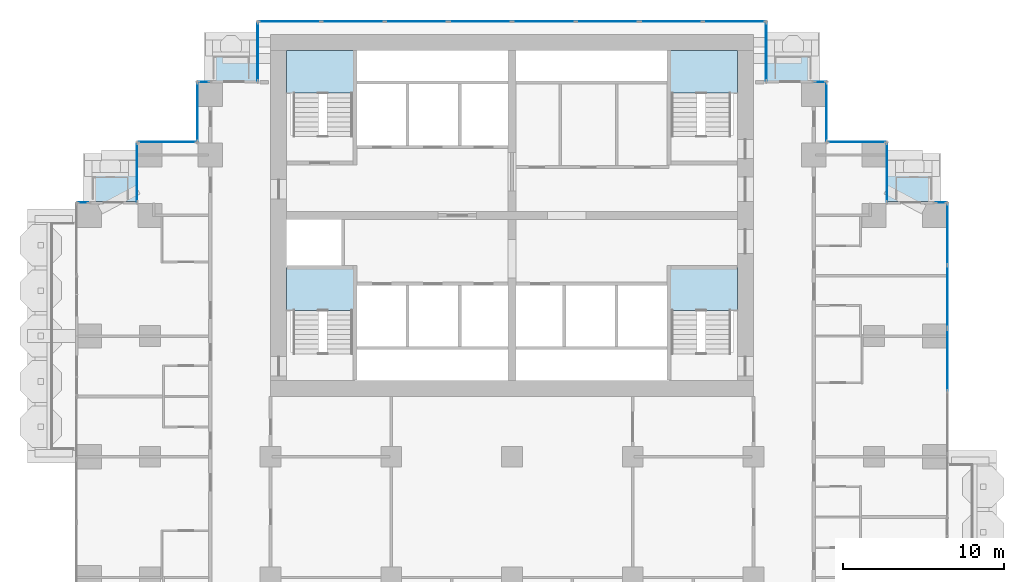
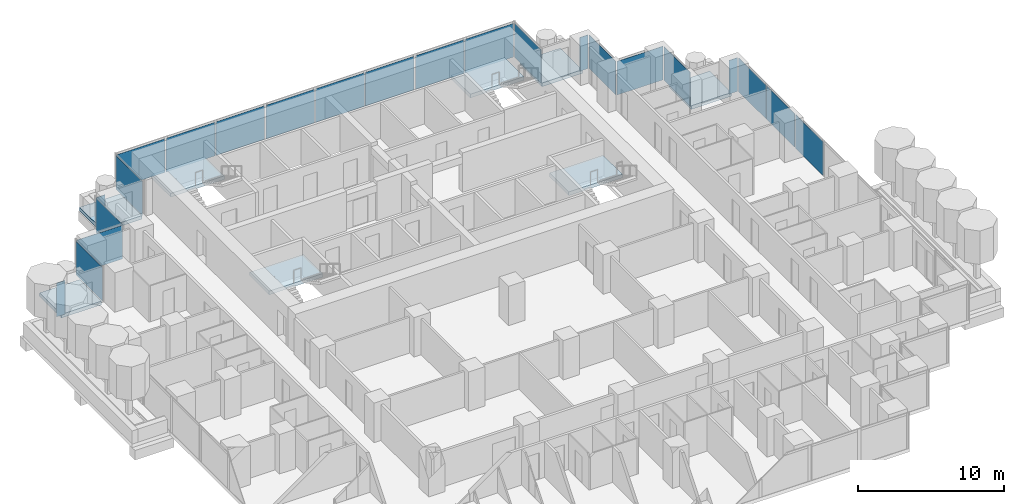
# One storey, part 9 of 19: 23 plates, 8 slabs, 21 elements without a shape of their own.
"""IFC4 building model written with IfcOpenShell, lengths in metres."""

from ifc_helpers import new_model, si_unit, direction, frame, origin, origin_2d, place, context, subcontext, project, spatial, polyline, rectangle, outline, extrude, material, layer, layer_set, type_object, element, aggregate, save


model = new_model("IFC4")

# Units and contexts
model_context = context("Model", 3, precision=1e-05, world=origin(), true_north=direction((0.0, 1.0)))
body_context = subcontext(model_context, "Body", "Model", "MODEL_VIEW")
ifc_project = project(units=[si_unit("LENGTHUNIT", "METRE"), si_unit("AREAUNIT", "SQUARE_METRE"), si_unit("VOLUMEUNIT", "CUBIC_METRE"), si_unit("PLANEANGLEUNIT", "RADIAN"), si_unit("MASSUNIT", "GRAM", prefix="KILO")], contexts=[model_context])

# Site, building, storey
site_placement = place(None, origin())
site = spatial("IfcSite", under=ifc_project, at=site_placement, CompositionType="ELEMENT")
building_placement = place(site_placement, origin())
building = spatial("IfcBuilding", under=site, at=building_placement, Name="Pilkhan Gate Tower", CompositionType="ELEMENT")
storey_placement = place(building_placement, frame((0.0, 0.0, 69.199951171875)))
storey = spatial("IfcBuildingStorey", under=building, at=storey_placement, Name="L15", CompositionType="ELEMENT", Elevation=69.199951171875)

# Slabs
ifc_material_1 = material(Name="Concrete C60/75", Category="concrete")
ifc_layer_1 = layer(ifc_material_1, 0.300048828125)
ifc_layer_set_1 = layer_set([ifc_layer_1], Name="Balcony tray slab TR300")
slab_type_1 = type_object("IfcSlabType", Name="Balcony tray slab TR300", PredefinedType="FLOOR", material=ifc_layer_set_1)
slab_1_placement = place(storey_placement, frame((0.0, 0.0, -0.300048828125)))
element("IfcSlab", 1, at=slab_1_placement, inside=storey, type_object=slab_type_1, Name="Balcony tray L15 N", PredefinedType="FLOOR", context=body_context, shape_type="SweptSolid", body=[
    extrude(outline(polyline([(59.14990234375, 90.85009765625), (59.14990234375, 93.85009765625), (55.949951171875, 93.85009765625), (55.949951171875, 90.85009765625), (59.14990234375, 90.85009765625)])), origin(), (0.0, 0.0, 1.0), 0.300048828125),
])
slab_2_placement = place(storey_placement, frame((0.0, 0.0, -0.300048828125)))
element("IfcSlab", 2, at=slab_2_placement, inside=storey, type_object=slab_type_1, Name="Balcony tray L15 N", PredefinedType="FLOOR", context=body_context, shape_type="SweptSolid", body=[
    extrude(outline(polyline([(94.050048828125, 90.85009765625), (94.050048828125, 93.85009765625), (90.85009765625, 93.85009765625), (90.85009765625, 90.85009765625), (94.050048828125, 90.85009765625)])), origin(), (0.0, 0.0, 1.0), 0.300048828125),
])
slab_3_placement = place(storey_placement, frame((0.0, 0.0, -0.300048828125)))
element("IfcSlab", 3, at=slab_3_placement, inside=storey, type_object=slab_type_1, Name="Balcony tray L15 N", PredefinedType="FLOOR", context=body_context, shape_type="SweptSolid", body=[
    extrude(outline(polyline([(51.6298828125, 83.3701171875), (51.6298828125, 86.35009765625), (48.449951171875, 86.35009765625), (48.449951171875, 83.3701171875), (51.6298828125, 83.3701171875)])), origin(), (0.0, 0.0, 1.0), 0.300048828125),
])
slab_4_placement = place(storey_placement, frame((0.0, 0.0, -0.300048828125)))
element("IfcSlab", 4, at=slab_4_placement, inside=storey, type_object=slab_type_1, Name="Balcony tray L15 N", PredefinedType="FLOOR", context=body_context, shape_type="SweptSolid", body=[
    extrude(outline(polyline([(101.550048828125, 83.3701171875), (101.550048828125, 86.35009765625), (98.3701171875, 86.35009765625), (98.3701171875, 83.3701171875), (101.550048828125, 83.3701171875)])), origin(), (0.0, 0.0, 1.0), 0.300048828125),
])

# Curtain wall, plate
ifc_material_2 = material(Name="Pale anodised aluminium, clear low-iron double glazing", Category="aluminium")
curtain_wall_type = type_object("IfcCurtainWallType", Name="Hotel unitised curtain wall CW-H", PredefinedType="USERDEFINED", material=ifc_material_2)
curtain_wall_1_placement = place(storey_placement, origin())
curtain_wall_1 = element("IfcCurtainWall", 5, at=curtain_wall_1_placement, inside=storey, type_object=curtain_wall_type, Name="Hotel unitised curtain wall CW-H L15 E", ObjectType="UNITISED CURTAIN WALL", PredefinedType="USERDEFINED")
ifc_material_3 = material(Name="Clear low-iron double glazing", Category="glass")
ifc_layer_2 = layer(ifc_material_3, 0.035888671875)
ifc_layer_set_2 = layer_set([ifc_layer_2], Name="Glass panel CW-H 36")
plate_type = type_object("IfcPlateType", Name="Glass panel CW-H 36", PredefinedType="CURTAIN_PANEL", material=ifc_layer_set_2)
plate_1_placement = place(storey_placement, frame((102.044921875, 73.50634765625, 0.0), z_axis=(0.0, 0.0, 1.0), x_axis=(0.0, 1.0, 0.0)))
plate_1 = element("IfcPlate", 6, at=plate_1_placement, type_object=plate_type, Name="CW-H panel 3", PredefinedType="CURTAIN_PANEL", context=body_context, shape_type="SweptSolid", body=[
    extrude(rectangle(XDim=3.8115234375, YDim=0.035888671875, at=origin_2d()), origin(), (0.0, 0.0, 1.0), 2.820068359375),
])
aggregate(curtain_wall_1, [plate_1])

# Curtain wall, plates
curtain_wall_2_placement = place(storey_placement, origin())
curtain_wall_2 = element("IfcCurtainWall", 7, at=curtain_wall_2_placement, inside=storey, type_object=curtain_wall_type, Name="Hotel unitised curtain wall CW-H L15 E", ObjectType="UNITISED CURTAIN WALL", PredefinedType="USERDEFINED")
plate_2_placement = place(storey_placement, frame((102.044921875, 77.44775390625, 0.0), z_axis=(0.0, 0.0, 1.0), x_axis=(0.0, 1.0, 0.0)))
plate_2 = element("IfcPlate", 8, at=plate_2_placement, type_object=plate_type, Name="CW-H panel 1", PredefinedType="CURTAIN_PANEL", context=body_context, shape_type="SweptSolid", body=[
    extrude(rectangle(XDim=3.8115234375, YDim=0.035888671875, at=origin_2d()), origin(), (0.0, 0.0, 1.0), 2.820068359375),
])
plate_3_placement = place(storey_placement, frame((102.044921875, 81.32421875, 0.0), z_axis=(0.0, 0.0, 1.0), x_axis=(0.0, 1.0, 0.0)))
plate_3 = element("IfcPlate", 9, at=plate_3_placement, type_object=plate_type, Name="CW-H panel 2", PredefinedType="CURTAIN_PANEL", context=body_context, shape_type="SweptSolid", body=[
    extrude(rectangle(XDim=3.8115234375, YDim=0.035888671875, at=origin_2d()), origin(), (0.0, 0.0, 1.0), 2.820068359375),
])
aggregate(curtain_wall_2, [plate_2, plate_3])

# Curtain wall, plate
curtain_wall_3_placement = place(storey_placement, origin())
curtain_wall_3 = element("IfcCurtainWall", 10, at=curtain_wall_3_placement, inside=storey, type_object=curtain_wall_type, Name="Hotel unitised curtain wall CW-H L15 N", ObjectType="UNITISED CURTAIN WALL", PredefinedType="USERDEFINED")
plate_4_placement = place(storey_placement, frame((101.6474609375, 83.294921875, 0.0), z_axis=(0.0, 0.0, 1.0), x_axis=(1.0, 0.0, 0.0)))
plate_4 = element("IfcPlate", 11, at=plate_4_placement, type_object=plate_type, Name="CW-H panel 1", PredefinedType="CURTAIN_PANEL", context=body_context, shape_type="SweptSolid", body=[
    extrude(rectangle(XDim=0.6650390625, YDim=0.035888671875, at=origin_2d()), origin(), (0.0, 0.0, 1.0), 2.820068359375),
])
aggregate(curtain_wall_3, [plate_4])

curtain_wall_4_placement = place(storey_placement, origin())
curtain_wall_4 = element("IfcCurtainWall", 12, at=curtain_wall_4_placement, inside=storey, type_object=curtain_wall_type, Name="Hotel unitised curtain wall CW-H L15 E", ObjectType="UNITISED CURTAIN WALL", PredefinedType="USERDEFINED")
plate_5_placement = place(storey_placement, frame((98.294921875, 85.169921875, 0.0), z_axis=(0.0, 0.0, 1.0), x_axis=(0.0, 1.0, 0.0)))
plate_5 = element("IfcPlate", 13, at=plate_5_placement, type_object=plate_type, Name="CW-H panel 1", PredefinedType="CURTAIN_PANEL", context=body_context, shape_type="SweptSolid", body=[
    extrude(rectangle(XDim=3.6201171875, YDim=0.035888671875, at=origin_2d()), origin(), (0.0, 0.0, 1.0), 2.820068359375),
])
aggregate(curtain_wall_4, [plate_5])

curtain_wall_5_placement = place(storey_placement, origin())
curtain_wall_5 = element("IfcCurtainWall", 14, at=curtain_wall_5_placement, inside=storey, type_object=curtain_wall_type, Name="Hotel unitised curtain wall CW-H L15 N", ObjectType="UNITISED CURTAIN WALL", PredefinedType="USERDEFINED")
plate_6_placement = place(storey_placement, frame((96.419921875, 87.044921875, 0.0), z_axis=(0.0, 0.0, 1.0), x_axis=(1.0, 0.0, 0.0)))
plate_6 = element("IfcPlate", 15, at=plate_6_placement, type_object=plate_type, Name="CW-H panel 1", PredefinedType="CURTAIN_PANEL", context=body_context, shape_type="SweptSolid", body=[
    extrude(rectangle(XDim=3.6201171875, YDim=0.035888671875, at=origin_2d()), origin(), (0.0, 0.0, 1.0), 2.820068359375),
])
aggregate(curtain_wall_5, [plate_6])

curtain_wall_6_placement = place(storey_placement, origin())
curtain_wall_6 = element("IfcCurtainWall", 16, at=curtain_wall_6_placement, inside=storey, type_object=curtain_wall_type, Name="Hotel unitised curtain wall CW-H L15 E", ObjectType="UNITISED CURTAIN WALL", PredefinedType="USERDEFINED")
plate_7_placement = place(storey_placement, frame((94.544921875, 88.919921875, 0.0), z_axis=(0.0, 0.0, 1.0), x_axis=(0.0, 1.0, 0.0)))
plate_7 = element("IfcPlate", 17, at=plate_7_placement, type_object=plate_type, Name="CW-H panel 1", PredefinedType="CURTAIN_PANEL", context=body_context, shape_type="SweptSolid", body=[
    extrude(rectangle(XDim=3.6201171875, YDim=0.035888671875, at=origin_2d()), origin(), (0.0, 0.0, 1.0), 2.820068359375),
])
aggregate(curtain_wall_6, [plate_7])

curtain_wall_7_placement = place(storey_placement, origin())
curtain_wall_7 = element("IfcCurtainWall", 18, at=curtain_wall_7_placement, inside=storey, type_object=curtain_wall_type, Name="Hotel unitised curtain wall CW-H L15 N", ObjectType="UNITISED CURTAIN WALL", PredefinedType="USERDEFINED")
plate_8_placement = place(storey_placement, frame((94.1474609375, 90.794921875, 0.0), z_axis=(0.0, 0.0, 1.0), x_axis=(1.0, 0.0, 0.0)))
plate_8 = element("IfcPlate", 19, at=plate_8_placement, type_object=plate_type, Name="CW-H panel 1", PredefinedType="CURTAIN_PANEL", context=body_context, shape_type="SweptSolid", body=[
    extrude(rectangle(XDim=0.6650390625, YDim=0.035888671875, at=origin_2d()), origin(), (0.0, 0.0, 1.0), 2.820068359375),
])
aggregate(curtain_wall_7, [plate_8])

curtain_wall_8_placement = place(storey_placement, origin())
curtain_wall_8 = element("IfcCurtainWall", 20, at=curtain_wall_8_placement, inside=storey, type_object=curtain_wall_type, Name="Hotel unitised curtain wall CW-H L15 E", ObjectType="UNITISED CURTAIN WALL", PredefinedType="USERDEFINED")
plate_9_placement = place(storey_placement, frame((90.794921875, 92.669921875, 0.0), z_axis=(0.0, 0.0, 1.0), x_axis=(0.0, 1.0, 0.0)))
plate_9 = element("IfcPlate", 21, at=plate_9_placement, type_object=plate_type, Name="CW-H panel 1", PredefinedType="CURTAIN_PANEL", context=body_context, shape_type="SweptSolid", body=[
    extrude(rectangle(XDim=3.6201171875, YDim=0.035888671875, at=origin_2d()), origin(), (0.0, 0.0, 1.0), 2.820068359375),
])
aggregate(curtain_wall_8, [plate_9])

# Curtain wall, plates
curtain_wall_9_placement = place(storey_placement, origin())
curtain_wall_9 = element("IfcCurtainWall", 22, at=curtain_wall_9_placement, inside=storey, type_object=curtain_wall_type, Name="Hotel unitised curtain wall CW-H L15 N", ObjectType="UNITISED CURTAIN WALL", PredefinedType="USERDEFINED")
plate_10_placement = place(storey_placement, frame((61.195556640625, 94.544921875, 0.0), z_axis=(0.0, 0.0, 1.0), x_axis=(1.0, 0.0, 0.0)))
plate_10 = element("IfcPlate", 23, at=plate_10_placement, type_object=plate_type, Name="CW-H panel 1", PredefinedType="CURTAIN_PANEL", context=body_context, shape_type="SweptSolid", body=[
    extrude(rectangle(XDim=3.851318359375, YDim=0.035888671875, at=origin_2d()), origin(), (0.0, 0.0, 1.0), 2.820068359375),
])
plate_11_placement = place(storey_placement, frame((65.128173828125, 94.544921875, 0.0), z_axis=(0.0, 0.0, 1.0), x_axis=(1.0, 0.0, 0.0)))
plate_11 = element("IfcPlate", 24, at=plate_11_placement, type_object=plate_type, Name="CW-H panel 2", PredefinedType="CURTAIN_PANEL", context=body_context, shape_type="SweptSolid", body=[
    extrude(rectangle(XDim=3.8837890625, YDim=0.035888671875, at=origin_2d()), origin(), (0.0, 0.0, 1.0), 2.820068359375),
])
plate_12_placement = place(storey_placement, frame((69.060546875, 94.544921875, 0.0), z_axis=(0.0, 0.0, 1.0), x_axis=(1.0, 0.0, 0.0)))
plate_12 = element("IfcPlate", 25, at=plate_12_placement, type_object=plate_type, Name="CW-H panel 3", PredefinedType="CURTAIN_PANEL", context=body_context, shape_type="SweptSolid", body=[
    extrude(rectangle(XDim=3.851318359375, YDim=0.035888671875, at=origin_2d()), origin(), (0.0, 0.0, 1.0), 2.820068359375),
])
aggregate(curtain_wall_9, [plate_10, plate_11, plate_12])

curtain_wall_10_placement = place(storey_placement, origin())
curtain_wall_10 = element("IfcCurtainWall", 26, at=curtain_wall_10_placement, inside=storey, type_object=curtain_wall_type, Name="Hotel unitised curtain wall CW-H L15 N", ObjectType="UNITISED CURTAIN WALL", PredefinedType="USERDEFINED")
plate_13_placement = place(storey_placement, frame((73.0419921875, 94.544921875, 0.0), z_axis=(0.0, 0.0, 1.0), x_axis=(1.0, 0.0, 0.0)))
plate_13 = element("IfcPlate", 27, at=plate_13_placement, type_object=plate_type, Name="CW-H panel 1", PredefinedType="CURTAIN_PANEL", context=body_context, shape_type="SweptSolid", body=[
    extrude(rectangle(XDim=3.851318359375, YDim=0.035888671875, at=origin_2d()), origin(), (0.0, 0.0, 1.0), 2.820068359375),
])
plate_14_placement = place(storey_placement, frame((76.974365234375, 94.544921875, 0.0), z_axis=(0.0, 0.0, 1.0), x_axis=(1.0, 0.0, 0.0)))
plate_14 = element("IfcPlate", 28, at=plate_14_placement, type_object=plate_type, Name="CW-H panel 2", PredefinedType="CURTAIN_PANEL", context=body_context, shape_type="SweptSolid", body=[
    extrude(rectangle(XDim=3.8837890625, YDim=0.035888671875, at=origin_2d()), origin(), (0.0, 0.0, 1.0), 2.820068359375),
])
plate_15_placement = place(storey_placement, frame((80.906982421875, 94.544921875, 0.0), z_axis=(0.0, 0.0, 1.0), x_axis=(1.0, 0.0, 0.0)))
plate_15 = element("IfcPlate", 29, at=plate_15_placement, type_object=plate_type, Name="CW-H panel 3", PredefinedType="CURTAIN_PANEL", context=body_context, shape_type="SweptSolid", body=[
    extrude(rectangle(XDim=3.851318359375, YDim=0.035888671875, at=origin_2d()), origin(), (0.0, 0.0, 1.0), 2.820068359375),
])
aggregate(curtain_wall_10, [plate_13, plate_14, plate_15])

curtain_wall_11_placement = place(storey_placement, origin())
curtain_wall_11 = element("IfcCurtainWall", 30, at=curtain_wall_11_placement, inside=storey, type_object=curtain_wall_type, Name="Hotel unitised curtain wall CW-H L15 N", ObjectType="UNITISED CURTAIN WALL", PredefinedType="USERDEFINED")
plate_16_placement = place(storey_placement, frame((84.88818359375, 94.544921875, 0.0), z_axis=(0.0, 0.0, 1.0), x_axis=(1.0, 0.0, 0.0)))
plate_16 = element("IfcPlate", 31, at=plate_16_placement, type_object=plate_type, Name="CW-H panel 1", PredefinedType="CURTAIN_PANEL", context=body_context, shape_type="SweptSolid", body=[
    extrude(rectangle(XDim=3.851318359375, YDim=0.035888671875, at=origin_2d()), origin(), (0.0, 0.0, 1.0), 2.820068359375),
])
plate_17_placement = place(storey_placement, frame((88.804443359375, 94.544921875, 0.0), z_axis=(0.0, 0.0, 1.0), x_axis=(1.0, 0.0, 0.0)))
plate_17 = element("IfcPlate", 32, at=plate_17_placement, type_object=plate_type, Name="CW-H panel 2", PredefinedType="CURTAIN_PANEL", context=body_context, shape_type="SweptSolid", body=[
    extrude(rectangle(XDim=3.851318359375, YDim=0.035888671875, at=origin_2d()), origin(), (0.0, 0.0, 1.0), 2.820068359375),
])
aggregate(curtain_wall_11, [plate_16, plate_17])

# Curtain wall, plate
curtain_wall_12_placement = place(storey_placement, origin())
curtain_wall_12 = element("IfcCurtainWall", 33, at=curtain_wall_12_placement, inside=storey, type_object=curtain_wall_type, Name="Hotel unitised curtain wall CW-H L15 W", ObjectType="UNITISED CURTAIN WALL", PredefinedType="USERDEFINED")
plate_18_placement = place(storey_placement, frame((59.205078125, 92.669921875, 0.0), z_axis=(0.0, 0.0, 1.0), x_axis=(0.0, 1.0, 0.0)))
plate_18 = element("IfcPlate", 34, at=plate_18_placement, type_object=plate_type, Name="CW-H panel 1", PredefinedType="CURTAIN_PANEL", context=body_context, shape_type="SweptSolid", body=[
    extrude(rectangle(XDim=3.6201171875, YDim=0.035888671875, at=origin_2d()), origin(), (0.0, 0.0, 1.0), 2.820068359375),
])
aggregate(curtain_wall_12, [plate_18])

curtain_wall_13_placement = place(storey_placement, origin())
curtain_wall_13 = element("IfcCurtainWall", 35, at=curtain_wall_13_placement, inside=storey, type_object=curtain_wall_type, Name="Hotel unitised curtain wall CW-H L15 N", ObjectType="UNITISED CURTAIN WALL", PredefinedType="USERDEFINED")
plate_19_placement = place(storey_placement, frame((55.8525390625, 90.794921875, 0.0), z_axis=(0.0, 0.0, 1.0), x_axis=(1.0, 0.0, 0.0)))
plate_19 = element("IfcPlate", 36, at=plate_19_placement, type_object=plate_type, Name="CW-H panel 1", PredefinedType="CURTAIN_PANEL", context=body_context, shape_type="SweptSolid", body=[
    extrude(rectangle(XDim=0.6650390625, YDim=0.035888671875, at=origin_2d()), origin(), (0.0, 0.0, 1.0), 2.820068359375),
])
aggregate(curtain_wall_13, [plate_19])

curtain_wall_14_placement = place(storey_placement, origin())
curtain_wall_14 = element("IfcCurtainWall", 37, at=curtain_wall_14_placement, inside=storey, type_object=curtain_wall_type, Name="Hotel unitised curtain wall CW-H L15 W", ObjectType="UNITISED CURTAIN WALL", PredefinedType="USERDEFINED")
plate_20_placement = place(storey_placement, frame((55.455078125, 88.919921875, 0.0), z_axis=(0.0, 0.0, 1.0), x_axis=(0.0, 1.0, 0.0)))
plate_20 = element("IfcPlate", 38, at=plate_20_placement, type_object=plate_type, Name="CW-H panel 1", PredefinedType="CURTAIN_PANEL", context=body_context, shape_type="SweptSolid", body=[
    extrude(rectangle(XDim=3.6201171875, YDim=0.035888671875, at=origin_2d()), origin(), (0.0, 0.0, 1.0), 2.820068359375),
])
aggregate(curtain_wall_14, [plate_20])

curtain_wall_15_placement = place(storey_placement, origin())
curtain_wall_15 = element("IfcCurtainWall", 39, at=curtain_wall_15_placement, inside=storey, type_object=curtain_wall_type, Name="Hotel unitised curtain wall CW-H L15 N", ObjectType="UNITISED CURTAIN WALL", PredefinedType="USERDEFINED")
plate_21_placement = place(storey_placement, frame((53.580078125, 87.044921875, 0.0), z_axis=(0.0, 0.0, 1.0), x_axis=(1.0, 0.0, 0.0)))
plate_21 = element("IfcPlate", 40, at=plate_21_placement, type_object=plate_type, Name="CW-H panel 1", PredefinedType="CURTAIN_PANEL", context=body_context, shape_type="SweptSolid", body=[
    extrude(rectangle(XDim=3.6201171875, YDim=0.035888671875, at=origin_2d()), origin(), (0.0, 0.0, 1.0), 2.820068359375),
])
aggregate(curtain_wall_15, [plate_21])

curtain_wall_16_placement = place(storey_placement, origin())
curtain_wall_16 = element("IfcCurtainWall", 41, at=curtain_wall_16_placement, inside=storey, type_object=curtain_wall_type, Name="Hotel unitised curtain wall CW-H L15 W", ObjectType="UNITISED CURTAIN WALL", PredefinedType="USERDEFINED")
plate_22_placement = place(storey_placement, frame((51.705078125, 85.169921875, 0.0), z_axis=(0.0, 0.0, 1.0), x_axis=(0.0, 1.0, 0.0)))
plate_22 = element("IfcPlate", 42, at=plate_22_placement, type_object=plate_type, Name="CW-H panel 1", PredefinedType="CURTAIN_PANEL", context=body_context, shape_type="SweptSolid", body=[
    extrude(rectangle(XDim=3.6201171875, YDim=0.035888671875, at=origin_2d()), origin(), (0.0, 0.0, 1.0), 2.820068359375),
])
aggregate(curtain_wall_16, [plate_22])

curtain_wall_17_placement = place(storey_placement, origin())
curtain_wall_17 = element("IfcCurtainWall", 43, at=curtain_wall_17_placement, inside=storey, type_object=curtain_wall_type, Name="Hotel unitised curtain wall CW-H L15 N", ObjectType="UNITISED CURTAIN WALL", PredefinedType="USERDEFINED")
plate_23_placement = place(storey_placement, frame((48.3525390625, 83.294921875, 0.0), z_axis=(0.0, 0.0, 1.0), x_axis=(1.0, 0.0, 0.0)))
plate_23 = element("IfcPlate", 44, at=plate_23_placement, type_object=plate_type, Name="CW-H panel 1", PredefinedType="CURTAIN_PANEL", context=body_context, shape_type="SweptSolid", body=[
    extrude(rectangle(XDim=0.6650390625, YDim=0.035888671875, at=origin_2d()), origin(), (0.0, 0.0, 1.0), 2.820068359375),
])
aggregate(curtain_wall_17, [plate_23])

# Stair, slab
ifc_material_4 = material(Name="Concrete C40/50 precast", Category="concrete")
stair_type_1 = type_object("IfcStairType", Name="Stair ST1 165x300", PredefinedType="HALF_TURN_STAIR", material=ifc_material_4)
stair_1_placement = place(storey_placement, origin())
stair_1 = element("IfcStair", 45, at=stair_1_placement, inside=storey, type_object=stair_type_1, Name="Stair ST1 L15", PredefinedType="HALF_TURN_STAIR")
ifc_material_5 = material(Name="Concrete C40/50", Category="concrete")
ifc_layer_3 = layer(ifc_material_5, 0.199951171875)
ifc_layer_set_3 = layer_set([ifc_layer_3], Name="Stair landing SL200")
slab_type_2 = type_object("IfcSlabType", Name="Stair landing SL200", PredefinedType="LANDING", material=ifc_layer_set_3)
slab_5_placement = place(storey_placement, frame((0.0, 0.0, 1.35009765625)))
slab_5 = element("IfcSlab", 46, at=slab_5_placement, type_object=slab_type_2, Name="ST1 landing 1", PredefinedType="LANDING", context=body_context, shape_type="SweptSolid", body=[
    extrude(outline(polyline([(89.0, 76.60009765625), (89.0, 79.25), (84.75, 79.25), (84.75, 76.60009765625), (89.0, 76.60009765625)])), origin(), (0.0, 0.0, 1.0), 0.300048828125),
])
aggregate(stair_1, [slab_5])

stair_type_2 = type_object("IfcStairType", Name="Stair ST2 165x300", PredefinedType="HALF_TURN_STAIR", material=ifc_material_4)
stair_2_placement = place(storey_placement, origin())
stair_2 = element("IfcStair", 47, at=stair_2_placement, inside=storey, type_object=stair_type_2, Name="Stair ST2 L15", PredefinedType="HALF_TURN_STAIR")
slab_6_placement = place(storey_placement, frame((0.0, 0.0, 1.35009765625)))
slab_6 = element("IfcSlab", 48, at=slab_6_placement, type_object=slab_type_2, Name="ST2 landing 1", PredefinedType="LANDING", context=body_context, shape_type="SweptSolid", body=[
    extrude(outline(polyline([(65.25, 76.60009765625), (65.25, 79.25), (61.0, 79.25), (61.0, 76.60009765625), (65.25, 76.60009765625)])), origin(), (0.0, 0.0, 1.0), 0.300048828125),
])
aggregate(stair_2, [slab_6])

stair_type_3 = type_object("IfcStairType", Name="Stair ST3 165x300", PredefinedType="HALF_TURN_STAIR", material=ifc_material_4)
stair_3_placement = place(storey_placement, origin())
stair_3 = element("IfcStair", 49, at=stair_3_placement, inside=storey, type_object=stair_type_3, Name="Stair ST3 L15", PredefinedType="HALF_TURN_STAIR")
slab_7_placement = place(storey_placement, frame((0.0, 0.0, 1.35009765625)))
slab_7 = element("IfcSlab", 50, at=slab_7_placement, type_object=slab_type_2, Name="ST3 landing 1", PredefinedType="LANDING", context=body_context, shape_type="SweptSolid", body=[
    extrude(outline(polyline([(65.25, 90.10009765625), (65.25, 92.75), (61.0, 92.75), (61.0, 90.10009765625), (65.25, 90.10009765625)])), origin(), (0.0, 0.0, 1.0), 0.300048828125),
])
aggregate(stair_3, [slab_7])

stair_type_4 = type_object("IfcStairType", Name="Stair ST4 165x300", PredefinedType="HALF_TURN_STAIR", material=ifc_material_4)
stair_4_placement = place(storey_placement, origin())
stair_4 = element("IfcStair", 51, at=stair_4_placement, inside=storey, type_object=stair_type_4, Name="Stair ST4 L15", PredefinedType="HALF_TURN_STAIR")
slab_8_placement = place(storey_placement, frame((0.0, 0.0, 1.35009765625)))
slab_8 = element("IfcSlab", 52, at=slab_8_placement, type_object=slab_type_2, Name="ST4 landing 1", PredefinedType="LANDING", context=body_context, shape_type="SweptSolid", body=[
    extrude(outline(polyline([(89.0, 90.10009765625), (89.0, 92.75), (84.75, 92.75), (84.75, 90.10009765625), (89.0, 90.10009765625)])), origin(), (0.0, 0.0, 1.0), 0.300048828125),
])
aggregate(stair_4, [slab_8])

save(model, "model.ifc")
